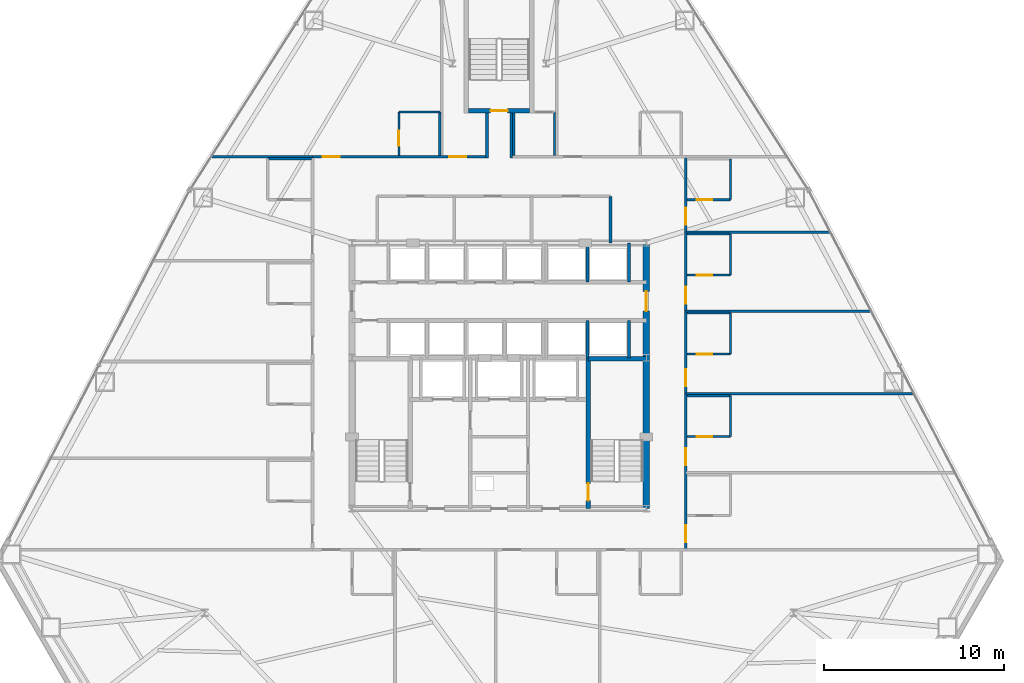
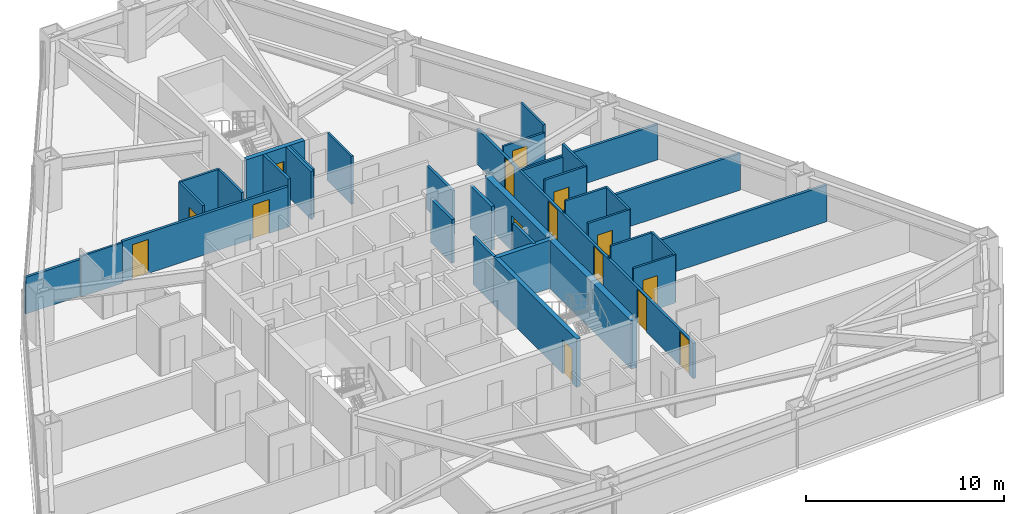
# One storey, part 11 of 13: 34 walls, 15 doors, 15 openings.
"""IFC4 building model written with IfcOpenShell, lengths in metres."""

import ifcopenshell
import ifcopenshell.guid

model = None  # the IFC model being written
_history = None  # IfcOwnerHistory: only IFC2X3 demands one
_inside = {}  # id of a spatial element -> (the spatial element, [elements in it])
_under = {}  # id of a project, library or spatial element -> (it, [spatial elements below it])
_declared = {}  # id of a project -> (the project, [libraries it declares])
_typed = {}  # id of a type object -> (the type object, [elements of that type])
_made_of = {}  # id of a material, layer set ... -> (it, [elements and type objects made of it])


def new_model(schema):
    """Start an empty IFC model of exactly this schema.

    Asked for "IFC4X3", IfcOpenShell would pick the latest addendum, in which some entities
    have other attributes; the version numbers below select the first issue.
    IFC2X3 requires an IfcOwnerHistory on every rooted entity: one is made here for all.
    """
    global model, _history
    if schema == "IFC4X3":
        model = ifcopenshell.file(schema_version=(4, 3, 0, 0))
    else:
        model = ifcopenshell.file(schema=schema)
    _inside.clear()
    _under.clear()
    _declared.clear()
    _typed.clear()
    _made_of.clear()
    _history = None
    if model.schema == "IFC2X3":
        org = make("IfcOrganization", Name="unknown")
        user = make(
            "IfcPersonAndOrganization",
            ThePerson=make("IfcPerson", FamilyName="unknown"),
            TheOrganization=org,
        )
        app = make(
            "IfcApplication",
            ApplicationDeveloper=org,
            Version="unknown",
            ApplicationFullName="unknown",
            ApplicationIdentifier="unknown",
        )
        _history = make(
            "IfcOwnerHistory",
            OwningUser=user,
            OwningApplication=app,
            ChangeAction="ADDED",
            CreationDate=0,
        )
    return model


def make(cls, **values):
    """One entity of the class cls with the attributes given. An attribute that is None is left unset."""
    return model.create_entity(
        cls, **{name: value for name, value in values.items() if value is not None}
    )


def rooted(cls, **values):
    """An entity with a GlobalId (a new one), such as an element, a storey or a relation."""
    return make(cls, GlobalId=ifcopenshell.guid.new(), OwnerHistory=_history, **values)


def si_unit(unit_type, name, prefix=None):
    """IfcSIUnit, for example si_unit("LENGTHUNIT", "METRE", prefix="MILLI")."""
    return make("IfcSIUnit", UnitType=unit_type, Prefix=prefix, Name=name)


def assignment(units):
    """IfcUnitAssignment: the units of a project."""
    return None if units is None else make("IfcUnitAssignment", Units=units)


def point(xyz):
    """IfcCartesianPoint."""
    return None if xyz is None else make("IfcCartesianPoint", Coordinates=xyz)


def direction(xyz):
    """IfcDirection."""
    return None if xyz is None else make("IfcDirection", DirectionRatios=xyz)


def frame(location, z_axis=None, x_axis=None):
    """IfcAxis2Placement3D, a coordinate frame: its origin and axes. An axis left out is left unset."""
    return make(
        "IfcAxis2Placement3D",
        Location=point(location),
        Axis=direction(z_axis),
        RefDirection=direction(x_axis),
    )


def frame_2d(location, x_axis=None):
    """IfcAxis2Placement2D, a coordinate frame in the plane: its origin and x axis."""
    return make(
        "IfcAxis2Placement2D", Location=point(location), RefDirection=direction(x_axis)
    )


def origin():
    """The frame at (0, 0, 0) with its axes left unset."""
    return frame((0.0, 0.0, 0.0))


def place(relative_to, where):
    """IfcLocalPlacement: puts the frame where relative to a parent placement (None: the world)."""
    return make(
        "IfcLocalPlacement", PlacementRelTo=relative_to, RelativePlacement=where
    )


def context(
    kind, dimensions, precision=None, world=None, true_north=None, identifier=None
):
    """IfcGeometricRepresentationContext, for example the 3D "Model" context."""
    return make(
        "IfcGeometricRepresentationContext",
        ContextIdentifier=identifier,
        ContextType=kind,
        CoordinateSpaceDimension=dimensions,
        Precision=precision,
        WorldCoordinateSystem=world,
        TrueNorth=true_north,
    )


def subcontext(parent, identifier, kind, view, scale=None):
    """IfcGeometricRepresentationSubContext, for example "Body" below "Model"."""
    return make(
        "IfcGeometricRepresentationSubContext",
        ContextIdentifier=identifier,
        ContextType=kind,
        ParentContext=parent,
        TargetScale=scale,
        TargetView=view,
    )


def project(units=None, contexts=None):
    """IfcProject with its units and contexts."""
    return rooted(
        "IfcProject",
        Name="project",
        RepresentationContexts=contexts,
        UnitsInContext=assignment(units),
    )


def spatial(cls, under=None, at=None, **own):
    """A site, building, storey or space (cls), placed at a placement, below another one or the project."""
    s = rooted(cls, ObjectPlacement=at, **own)
    if under is not None:
        _under.setdefault(under.id(), (under, []))[1].append(s)
    return s


def profile(cls, at=None, kind="AREA", **sizes):
    """A parametric profile (cls). Its sizes go by their IFC names, for example OverallWidth=200.0."""
    return make(cls, ProfileType=kind, Position=at, **sizes)


def rectangle(**sizes):
    """IfcRectangleProfileDef."""
    return profile("IfcRectangleProfileDef", **sizes)


def extrude(swept, where, along, depth):
    """IfcExtrudedAreaSolid: the profile swept, set in the frame where, extruded along a direction by depth."""
    return make(
        "IfcExtrudedAreaSolid",
        SweptArea=swept,
        Position=where,
        ExtrudedDirection=direction(along),
        Depth=depth,
    )


def shape(context_of_items, identifier, shape_type, items):
    """IfcShapeRepresentation: the items that make up one representation, for example the "Body"."""
    return make(
        "IfcShapeRepresentation",
        ContextOfItems=context_of_items,
        RepresentationIdentifier=identifier,
        RepresentationType=shape_type,
        Items=items,
    )


def material(Name=None, Category=None):
    """IfcMaterial."""
    return make("IfcMaterial", Name=Name, Category=Category)


def layer(
    of_material, thickness, ventilated=None, Name=None, Category=None, Priority=None
):
    """IfcMaterialLayer: one layer of a wall or slab, of a material (None: an air gap)."""
    return make(
        "IfcMaterialLayer",
        Material=of_material,
        LayerThickness=thickness,
        IsVentilated=ventilated,
        Name=Name,
        Category=Category,
        Priority=Priority,
    )


def layer_set(layers, Name=None):
    """IfcMaterialLayerSet."""
    return make("IfcMaterialLayerSet", MaterialLayers=layers, LayerSetName=Name)


def made_of(thing, what):
    """Note that an element or type object is made of a material, layer set ...; save() writes the relation."""
    if what is not None:
        _made_of.setdefault(what.id(), (what, []))[1].append(thing)
    return thing


def type_object(cls, material=None, **own):
    """A type object (cls), such as IfcWallType, which elements share."""
    return made_of(rooted(cls, **own), material)


def element(
    cls,
    number,
    at=None,
    inside=None,
    cuts=None,
    type_object=None,
    material=None,
    context=None,
    identifier="Body",
    shape_type=None,
    held_by="IfcProductDefinitionShape",
    body=None,
    shapes=None,
    **own,
):
    """One element of the class cls, such as IfcWall. Its Tag is "e" and its number.

    at: its placement. inside: the storey or other place that contains it. cuts: it is an
    opening in that element (IfcRelVoidsElement). A single representation is given by context,
    identifier, shape_type and body (its items); several are given by shapes. held_by: the class
    of the entity that holds the representations. save() writes the other relations.
    """
    e = rooted(cls, Tag="e%d" % number, ObjectPlacement=at, **own)
    if body is not None:
        shapes = [shape(context, identifier, shape_type, body)]
    if shapes is not None:
        e.Representation = make(held_by, Representations=shapes)
    if inside is not None:
        _inside.setdefault(inside.id(), (inside, []))[1].append(e)
    if cuts is not None:
        rooted(
            "IfcRelVoidsElement", RelatingBuildingElement=cuts, RelatedOpeningElement=e
        )
    if type_object is not None:
        _typed.setdefault(type_object.id(), (type_object, []))[1].append(e)
    return made_of(e, material)


def fill(opening, filler):
    """IfcRelFillsElement: the door or window that sits in an opening."""
    return rooted(
        "IfcRelFillsElement",
        RelatingOpeningElement=opening,
        RelatedBuildingElement=filler,
    )


def aggregate(whole, parts):
    """IfcRelAggregates: a whole, such as a stair, and the parts it consists of."""
    return rooted("IfcRelAggregates", RelatingObject=whole, RelatedObjects=parts)


def save(model, path):
    """Write the relations noted so far, then the file.

    IfcRelAggregates (storeys below a building ...), IfcRelContainedInSpatialStructure (elements
    in a storey), IfcRelDefinesByType, IfcRelAssociatesMaterial and IfcRelDeclares: one each for
    every whole, place, type object, material and project.
    """
    for whole, parts in _under.values():
        aggregate(whole, parts)
    for where, things in _inside.values():
        rooted(
            "IfcRelContainedInSpatialStructure",
            RelatedElements=things,
            RelatingStructure=where,
        )
    for kind, things in _typed.values():
        rooted("IfcRelDefinesByType", RelatedObjects=things, RelatingType=kind)
    for what, things in _made_of.values():
        rooted("IfcRelAssociatesMaterial", RelatedObjects=things, RelatingMaterial=what)
    for by, libraries in _declared.values():
        rooted("IfcRelDeclares", RelatingContext=by, RelatedDefinitions=libraries)
    model.write(path)


model = new_model("IFC4")

# Units and contexts
model_context = context("Model", 3, precision=1e-05, world=origin(), true_north=direction((0.0, 1.0)))
body_context = subcontext(model_context, "Body", "Model", "MODEL_VIEW")
ifc_project = project(units=[si_unit("LENGTHUNIT", "METRE"), si_unit("AREAUNIT", "SQUARE_METRE"), si_unit("VOLUMEUNIT", "CUBIC_METRE"), si_unit("PLANEANGLEUNIT", "RADIAN"), si_unit("MASSUNIT", "GRAM", prefix="KILO")], contexts=[model_context])

# Site, building, storey
site_placement = place(None, origin())
site = spatial("IfcSite", under=ifc_project, at=site_placement, CompositionType="ELEMENT")
building_placement = place(site_placement, origin())
building = spatial("IfcBuilding", under=site, at=building_placement, Name="Varakhsha Concourse Tower", CompositionType="ELEMENT")
storey_placement = place(building_placement, frame((0.0, 0.0, 89.39990234375)))
storey = spatial("IfcBuildingStorey", under=building, at=storey_placement, Name="L25", CompositionType="ELEMENT", Elevation=89.39990234375)

# Wall, opening, door
ifc_material_1 = material(Name="Concrete fc 65 MPa", Category="concrete")
ifc_layer_1 = layer(ifc_material_1, 0.35009765625, Name="WL-CORE-350")
ifc_layer_set_1 = layer_set([ifc_layer_1], Name="Concrete fc 65 MPa")
wall_type_1 = type_object("IfcWallType", Name="WL-CORE-350", PredefinedType="SHEAR", material=ifc_layer_set_1)
wall_1_placement = place(storey_placement, frame((48.199951171875, 16.39990234375, 0.0), z_axis=(0.0, 0.0, 1.0), x_axis=(0.0, 1.0, 0.0)))
wall_1 = element("IfcWall", 1, at=wall_1_placement, inside=storey, type_object=wall_type_1, Name="L25 Wall CWALL-E-L25", PredefinedType="SHEAR", context=body_context, shape_type="SweptSolid", body=[
    extrude(rectangle(XDim=14.800048828125, YDim=0.35009765625, at=frame_2d((7.39990234375, 0.0))), origin(), (0.0, 0.0, 1.0), 2.97021484375),
])
opening_1_placement = place(wall_1_placement, frame((11.0, 0.0, 0.0)))
opening_1 = element("IfcOpeningElement", 2, at=opening_1_placement, cuts=wall_1, Name="Opening DL-01", PredefinedType="OPENING", context=body_context, shape_type="SweptSolid", body=[
    extrude(rectangle(XDim=1.10009765625, YDim=2.14990234375, at=frame_2d((0.550048828125, 1.074951171875))), frame((0.0, 0.18505859375, 0.0), z_axis=(0.0, -1.0, 0.0), x_axis=(1.0, 0.0, 0.0)), (0.0, 0.0, 1.0), 0.3701171875),
])
ifc_material_2 = material(Name="Anodised Bronze Architectural Aluminium AA 6063-T6", Category="aluminium")
door_type_1 = type_object("IfcDoorType", Name="DR-LOB-1100", OperationType="NOTDEFINED", PredefinedType="DOOR", material=ifc_material_2)
door_1_placement = place(opening_1_placement, origin())
door_1 = element("IfcDoor", 3, at=door_1_placement, inside=storey, type_object=door_type_1, Name="L25 Lift Lobby East Concourse Door", OperationType="SINGLE_SWING_RIGHT", OverallHeight=2.14990234375, OverallWidth=1.10009765625, PredefinedType="DOOR", context=body_context, shape_type="SweptSolid", body=[
    extrude(rectangle(XDim=1.10009765625, YDim=2.14990234375, at=frame_2d((0.550048828125, 1.074951171875))), frame((0.0, 0.02490234375, 0.0), z_axis=(0.0, -1.0, 0.0), x_axis=(1.0, 0.0, 0.0)), (0.0, 0.0, 1.0), 0.050048828125),
])
fill(opening_1, door_1)

# Walls
ifc_material_3 = material(Name="Acoustic Gypsum Board Partition Assembly", Category="gypsum")
ifc_layer_2 = layer(ifc_material_3, 0.1201171875, Name="WL-PART-120")
ifc_layer_set_2 = layer_set([ifc_layer_2], Name="Acoustic Gypsum Board Partition Assembly")
wall_type_2 = type_object("IfcWallType", Name="WL-PART-120", PredefinedType="PARTITIONING", material=ifc_layer_set_2)
wall_2_placement = place(storey_placement, frame((27.110107421875, 35.889892578125, 0.0), z_axis=(0.0, 0.0, 1.0), x_axis=(1.0, 0.0, 0.0)))
element("IfcWall", 4, at=wall_2_placement, inside=storey, type_object=wall_type_2, Name="L25 Wall ENSW-N-L25-H08", PredefinedType="PARTITIONING", context=body_context, shape_type="SweptSolid", body=[
    extrude(rectangle(XDim=2.429931640625, YDim=0.1201171875, at=frame_2d((1.21484375, 0.0))), origin(), (0.0, 0.0, 1.0), 2.503173828125),
])
wall_3_placement = place(storey_placement, frame((52.889892578125, 20.409912109375, 0.0), z_axis=(0.0, 0.0, 1.0), x_axis=(0.0, 1.0, 0.0)))
element("IfcWall", 5, at=wall_3_placement, inside=storey, type_object=wall_type_2, Name="L25 Wall ENSW-E-L25-H10", PredefinedType="PARTITIONING", context=body_context, shape_type="SweptSolid", body=[
    extrude(rectangle(XDim=2.280029296875, YDim=0.1201171875, at=frame_2d((1.14013671875, 0.0))), origin(), (0.0, 0.0, 1.0), 2.97021484375),
])

# Wall, opening, door
wall_4_placement = place(storey_placement, frame((50.4599609375, 20.409912109375, 0.0), z_axis=(0.0, 0.0, 1.0), x_axis=(1.0, 0.0, 0.0)))
wall_4 = element("IfcWall", 6, at=wall_4_placement, inside=storey, type_object=wall_type_2, Name="L25 Wall ENSW-S-L25-H10", PredefinedType="PARTITIONING", context=body_context, shape_type="SweptSolid", body=[
    extrude(rectangle(XDim=2.429931640625, YDim=0.1201171875, at=frame_2d((1.21484375, 0.0))), origin(), (0.0, 0.0, 1.0), 2.97021484375),
])
opening_2_placement = place(wall_4_placement, frame((0.550048828125, 0.0, 0.0)))
opening_2 = element("IfcOpeningElement", 7, at=opening_2_placement, cuts=wall_4, Name="Opening DI-01", PredefinedType="OPENING", context=body_context, shape_type="SweptSolid", body=[
    extrude(rectangle(XDim=0.85009765625, YDim=2.050048828125, at=frame_2d((0.425048828125, 1.02490234375))), frame((0.0, 0.070068359375, 0.0), z_axis=(0.0, -1.0, 0.0), x_axis=(1.0, 0.0, 0.0)), (0.0, 0.0, 1.0), 0.14013671875),
])
ifc_material_4 = material(Name="Architectural Walnut Acoustic Timber Door", Category="wood")
door_type_2 = type_object("IfcDoorType", Name="DR-INT-850", OperationType="NOTDEFINED", PredefinedType="DOOR", material=ifc_material_4)
door_2_placement = place(opening_2_placement, origin())
door_2 = element("IfcDoor", 8, at=door_2_placement, inside=storey, type_object=door_type_2, Name="L25 En-suite Bathroom Door L25-H10", OperationType="SINGLE_SWING_RIGHT", OverallHeight=2.050048828125, OverallWidth=0.85009765625, PredefinedType="DOOR", context=body_context, shape_type="SweptSolid", body=[
    extrude(rectangle(XDim=0.85009765625, YDim=2.050048828125, at=frame_2d((0.425048828125, 1.02490234375))), frame((0.0, 0.02490234375, 0.0), z_axis=(0.0, -1.0, 0.0), x_axis=(1.0, 0.0, 0.0)), (0.0, 0.0, 1.0), 0.050048828125),
])
fill(opening_2, door_2)

# Walls
wall_5_placement = place(storey_placement, frame((50.4599609375, 22.68994140625, 0.0), z_axis=(0.0, 0.0, 1.0), x_axis=(1.0, 0.0, 0.0)))
element("IfcWall", 9, at=wall_5_placement, inside=storey, type_object=wall_type_2, Name="L25 Wall ENSW-N-L25-H10", PredefinedType="PARTITIONING", context=body_context, shape_type="SweptSolid", body=[
    extrude(rectangle(XDim=2.429931640625, YDim=0.1201171875, at=frame_2d((1.21484375, 0.0))), origin(), (0.0, 0.0, 1.0), 2.97021484375),
])
wall_6_placement = place(storey_placement, frame((52.889892578125, 25.010009765625, 0.0), z_axis=(0.0, 0.0, 1.0), x_axis=(0.0, 1.0, 0.0)))
element("IfcWall", 10, at=wall_6_placement, inside=storey, type_object=wall_type_2, Name="L25 Wall ENSW-E-L25-H11", PredefinedType="PARTITIONING", context=body_context, shape_type="SweptSolid", body=[
    extrude(rectangle(XDim=2.280029296875, YDim=0.1201171875, at=frame_2d((1.14013671875, 0.0))), origin(), (0.0, 0.0, 1.0), 2.97021484375),
])

# Wall, opening, door
wall_7_placement = place(storey_placement, frame((50.4599609375, 25.010009765625, 0.0), z_axis=(0.0, 0.0, 1.0), x_axis=(1.0, 0.0, 0.0)))
wall_7 = element("IfcWall", 11, at=wall_7_placement, inside=storey, type_object=wall_type_2, Name="L25 Wall ENSW-S-L25-H11", PredefinedType="PARTITIONING", context=body_context, shape_type="SweptSolid", body=[
    extrude(rectangle(XDim=2.429931640625, YDim=0.1201171875, at=frame_2d((1.21484375, 0.0))), origin(), (0.0, 0.0, 1.0), 2.97021484375),
])
opening_3_placement = place(wall_7_placement, frame((0.550048828125, 0.0, 0.0)))
opening_3 = element("IfcOpeningElement", 12, at=opening_3_placement, cuts=wall_7, Name="Opening DI-01", PredefinedType="OPENING", context=body_context, shape_type="SweptSolid", body=[
    extrude(rectangle(XDim=0.85009765625, YDim=2.050048828125, at=frame_2d((0.425048828125, 1.02490234375))), frame((0.0, 0.070068359375, 0.0), z_axis=(0.0, -1.0, 0.0), x_axis=(1.0, 0.0, 0.0)), (0.0, 0.0, 1.0), 0.14013671875),
])
door_3_placement = place(opening_3_placement, origin())
door_3 = element("IfcDoor", 13, at=door_3_placement, inside=storey, type_object=door_type_2, Name="L25 En-suite Bathroom Door L25-H11", OperationType="SINGLE_SWING_RIGHT", OverallHeight=2.050048828125, OverallWidth=0.85009765625, PredefinedType="DOOR", context=body_context, shape_type="SweptSolid", body=[
    extrude(rectangle(XDim=0.85009765625, YDim=2.050048828125, at=frame_2d((0.425048828125, 1.02490234375))), frame((0.0, 0.02490234375, 0.0), z_axis=(0.0, -1.0, 0.0), x_axis=(1.0, 0.0, 0.0)), (0.0, 0.0, 1.0), 0.050048828125),
])
fill(opening_3, door_3)

# Walls
wall_8_placement = place(storey_placement, frame((50.4599609375, 27.2900390625, 0.0), z_axis=(0.0, 0.0, 1.0), x_axis=(1.0, 0.0, 0.0)))
element("IfcWall", 14, at=wall_8_placement, inside=storey, type_object=wall_type_2, Name="L25 Wall ENSW-N-L25-H11", PredefinedType="PARTITIONING", context=body_context, shape_type="SweptSolid", body=[
    extrude(rectangle(XDim=2.429931640625, YDim=0.1201171875, at=frame_2d((1.21484375, 0.0))), origin(), (0.0, 0.0, 1.0), 2.97021484375),
])
wall_9_placement = place(storey_placement, frame((52.889892578125, 29.409912109375, 0.0), z_axis=(0.0, 0.0, 1.0), x_axis=(0.0, 1.0, 0.0)))
element("IfcWall", 15, at=wall_9_placement, inside=storey, type_object=wall_type_2, Name="L25 Wall ENSW-E-L25-H12", PredefinedType="PARTITIONING", context=body_context, shape_type="SweptSolid", body=[
    extrude(rectangle(XDim=2.280029296875, YDim=0.1201171875, at=frame_2d((1.14013671875, 0.0))), origin(), (0.0, 0.0, 1.0), 2.97021484375),
])

# Wall, opening, door
wall_10_placement = place(storey_placement, frame((50.4599609375, 29.409912109375, 0.0), z_axis=(0.0, 0.0, 1.0), x_axis=(1.0, 0.0, 0.0)))
wall_10 = element("IfcWall", 16, at=wall_10_placement, inside=storey, type_object=wall_type_2, Name="L25 Wall ENSW-S-L25-H12", PredefinedType="PARTITIONING", context=body_context, shape_type="SweptSolid", body=[
    extrude(rectangle(XDim=2.429931640625, YDim=0.1201171875, at=frame_2d((1.21484375, 0.0))), origin(), (0.0, 0.0, 1.0), 2.97021484375),
])
opening_4_placement = place(wall_10_placement, frame((0.550048828125, 0.0, 0.0)))
opening_4 = element("IfcOpeningElement", 17, at=opening_4_placement, cuts=wall_10, Name="Opening DI-01", PredefinedType="OPENING", context=body_context, shape_type="SweptSolid", body=[
    extrude(rectangle(XDim=0.85009765625, YDim=2.050048828125, at=frame_2d((0.425048828125, 1.02490234375))), frame((0.0, 0.070068359375, 0.0), z_axis=(0.0, -1.0, 0.0), x_axis=(1.0, 0.0, 0.0)), (0.0, 0.0, 1.0), 0.14013671875),
])
door_4_placement = place(opening_4_placement, origin())
door_4 = element("IfcDoor", 18, at=door_4_placement, inside=storey, type_object=door_type_2, Name="L25 En-suite Bathroom Door L25-H12", OperationType="SINGLE_SWING_RIGHT", OverallHeight=2.050048828125, OverallWidth=0.85009765625, PredefinedType="DOOR", context=body_context, shape_type="SweptSolid", body=[
    extrude(rectangle(XDim=0.85009765625, YDim=2.050048828125, at=frame_2d((0.425048828125, 1.02490234375))), frame((0.0, 0.02490234375, 0.0), z_axis=(0.0, -1.0, 0.0), x_axis=(1.0, 0.0, 0.0)), (0.0, 0.0, 1.0), 0.050048828125),
])
fill(opening_4, door_4)

# Walls
wall_11_placement = place(storey_placement, frame((50.4599609375, 31.68994140625, 0.0), z_axis=(0.0, 0.0, 1.0), x_axis=(1.0, 0.0, 0.0)))
element("IfcWall", 19, at=wall_11_placement, inside=storey, type_object=wall_type_2, Name="L25 Wall ENSW-N-L25-H12", PredefinedType="PARTITIONING", context=body_context, shape_type="SweptSolid", body=[
    extrude(rectangle(XDim=2.429931640625, YDim=0.1201171875, at=frame_2d((1.21484375, 0.0))), origin(), (0.0, 0.0, 1.0), 2.18115234375),
])
wall_12_placement = place(storey_placement, frame((52.889892578125, 33.610107421875, 0.0), z_axis=(0.0, 0.0, 1.0), x_axis=(0.0, 1.0, 0.0)))
element("IfcWall", 20, at=wall_12_placement, inside=storey, type_object=wall_type_2, Name="L25 Wall ENSW-E-L25-H13", PredefinedType="PARTITIONING", context=body_context, shape_type="SweptSolid", body=[
    extrude(rectangle(XDim=2.27978515625, YDim=0.1201171875, at=frame_2d((1.139892578125, 0.0))), origin(), (0.0, 0.0, 1.0), 2.97021484375),
])

# Wall, opening, door
wall_13_placement = place(storey_placement, frame((50.4599609375, 33.610107421875, 0.0), z_axis=(0.0, 0.0, 1.0), x_axis=(1.0, 0.0, 0.0)))
wall_13 = element("IfcWall", 21, at=wall_13_placement, inside=storey, type_object=wall_type_2, Name="L25 Wall ENSW-S-L25-H13", PredefinedType="PARTITIONING", context=body_context, shape_type="SweptSolid", body=[
    extrude(rectangle(XDim=2.429931640625, YDim=0.1201171875, at=frame_2d((1.21484375, 0.0))), origin(), (0.0, 0.0, 1.0), 2.503173828125),
])
opening_5_placement = place(wall_13_placement, frame((0.550048828125, 0.0, 0.0)))
opening_5 = element("IfcOpeningElement", 22, at=opening_5_placement, cuts=wall_13, Name="Opening DI-01", PredefinedType="OPENING", context=body_context, shape_type="SweptSolid", body=[
    extrude(rectangle(XDim=0.85009765625, YDim=2.050048828125, at=frame_2d((0.425048828125, 1.02490234375))), frame((0.0, 0.070068359375, 0.0), z_axis=(0.0, -1.0, 0.0), x_axis=(1.0, 0.0, 0.0)), (0.0, 0.0, 1.0), 0.14013671875),
])
door_5_placement = place(opening_5_placement, origin())
door_5 = element("IfcDoor", 23, at=door_5_placement, inside=storey, type_object=door_type_2, Name="L25 En-suite Bathroom Door L25-H13", OperationType="SINGLE_SWING_RIGHT", OverallHeight=2.050048828125, OverallWidth=0.85009765625, PredefinedType="DOOR", context=body_context, shape_type="SweptSolid", body=[
    extrude(rectangle(XDim=0.85009765625, YDim=2.050048828125, at=frame_2d((0.425048828125, 1.02490234375))), frame((0.0, 0.02490234375, 0.0), z_axis=(0.0, -1.0, 0.0), x_axis=(1.0, 0.0, 0.0)), (0.0, 0.0, 1.0), 0.050048828125),
])
fill(opening_5, door_5)

wall_14_placement = place(storey_placement, frame((34.409912109375, 36.06005859375, 0.0), z_axis=(0.0, 0.0, 1.0), x_axis=(0.0, 1.0, 0.0)))
wall_14 = element("IfcWall", 24, at=wall_14_placement, inside=storey, type_object=wall_type_2, Name="L25 Wall ENSW-W-L25-H14", PredefinedType="PARTITIONING", context=body_context, shape_type="SweptSolid", body=[
    extrude(rectangle(XDim=2.429931640625, YDim=0.1201171875, at=frame_2d((1.21484375, 0.0))), origin(), (0.0, 0.0, 1.0), 2.97021484375),
])
opening_6_placement = place(wall_14_placement, frame((0.550048828125, 0.0, 0.0)))
opening_6 = element("IfcOpeningElement", 25, at=opening_6_placement, cuts=wall_14, Name="Opening DI-01", PredefinedType="OPENING", context=body_context, shape_type="SweptSolid", body=[
    extrude(rectangle(XDim=0.85009765625, YDim=2.050048828125, at=frame_2d((0.425048828125, 1.02490234375))), frame((0.0, 0.070068359375, 0.0), z_axis=(0.0, -1.0, 0.0), x_axis=(1.0, 0.0, 0.0)), (0.0, 0.0, 1.0), 0.14013671875),
])
door_6_placement = place(opening_6_placement, origin())
door_6 = element("IfcDoor", 26, at=door_6_placement, inside=storey, type_object=door_type_2, Name="L25 En-suite Bathroom Door L25-H14", OperationType="SINGLE_SWING_RIGHT", OverallHeight=2.050048828125, OverallWidth=0.85009765625, PredefinedType="DOOR", context=body_context, shape_type="SweptSolid", body=[
    extrude(rectangle(XDim=0.85009765625, YDim=2.050048828125, at=frame_2d((0.425048828125, 1.02490234375))), frame((0.0, 0.02490234375, 0.0), z_axis=(0.0, -1.0, 0.0), x_axis=(1.0, 0.0, 0.0)), (0.0, 0.0, 1.0), 0.050048828125),
])
fill(opening_6, door_6)

# Walls
wall_15_placement = place(storey_placement, frame((36.68994140625, 36.06005859375, 0.0), z_axis=(0.0, 0.0, 1.0), x_axis=(0.0, 1.0, 0.0)))
element("IfcWall", 27, at=wall_15_placement, inside=storey, type_object=wall_type_2, Name="L25 Wall ENSW-E-L25-H14", PredefinedType="PARTITIONING", context=body_context, shape_type="SweptSolid", body=[
    extrude(rectangle(XDim=2.429931640625, YDim=0.1201171875, at=frame_2d((1.21484375, 0.0))), origin(), (0.0, 0.0, 1.0), 2.97021484375),
])
wall_16_placement = place(storey_placement, frame((34.409912109375, 38.489990234375, 0.0), z_axis=(0.0, 0.0, 1.0), x_axis=(1.0, 0.0, 0.0)))
element("IfcWall", 28, at=wall_16_placement, inside=storey, type_object=wall_type_2, Name="L25 Wall ENSW-N-L25-H14", PredefinedType="PARTITIONING", context=body_context, shape_type="SweptSolid", body=[
    extrude(rectangle(XDim=2.280029296875, YDim=0.1201171875, at=frame_2d((1.14013671875, 0.0))), origin(), (0.0, 0.0, 1.0), 2.97021484375),
])
wall_17_placement = place(storey_placement, frame((40.81005859375, 36.06005859375, 0.0), z_axis=(0.0, 0.0, 1.0), x_axis=(0.0, 1.0, 0.0)))
element("IfcWall", 29, at=wall_17_placement, inside=storey, type_object=wall_type_2, Name="L25 Wall ENSW-W-L25-H15", PredefinedType="PARTITIONING", context=body_context, shape_type="SweptSolid", body=[
    extrude(rectangle(XDim=2.389892578125, YDim=0.1201171875, at=frame_2d((1.19482421875, 0.0))), origin(), (0.0, 0.0, 1.0), 2.97021484375),
])
wall_18_placement = place(storey_placement, frame((43.090087890625, 36.06005859375, 0.0), z_axis=(0.0, 0.0, 1.0), x_axis=(0.0, 1.0, 0.0)))
element("IfcWall", 30, at=wall_18_placement, inside=storey, type_object=wall_type_2, Name="L25 Wall ENSW-E-L25-H15", PredefinedType="PARTITIONING", context=body_context, shape_type="SweptSolid", body=[
    extrude(rectangle(XDim=2.429931640625, YDim=0.1201171875, at=frame_2d((1.21484375, 0.0))), origin(), (0.0, 0.0, 1.0), 2.97021484375),
])
ifc_material_5 = material(Name="Fire-Rated Type X Gypsum Partition Assembly", Category="gypsum")
ifc_layer_3 = layer(ifc_material_5, 0.14990234375, Name="WL-PART-150")
ifc_layer_set_3 = layer_set([ifc_layer_3], Name="Fire-Rated Type X Gypsum Partition Assembly")
wall_type_3 = type_object("IfcWallType", Name="WL-PART-150", PredefinedType="PARTITIONING", material=ifc_layer_set_3)
wall_19_placement = place(storey_placement, frame((46.199951171875, 31.199951171875, 0.0), z_axis=(0.0, 0.0, 1.0), x_axis=(0.0, 1.0, 0.0)))
element("IfcWall", 31, at=wall_19_placement, inside=storey, type_object=wall_type_3, Name="L25 Wall NBOH-E-L25", PredefinedType="PARTITIONING", context=body_context, shape_type="SweptSolid", body=[
    extrude(rectangle(XDim=2.60009765625, YDim=0.14990234375, at=frame_2d((1.300048828125, 0.0))), origin(), (0.0, 0.0, 1.0), 2.697998046875),
])

# Wall, openings, doors
wall_20_placement = place(storey_placement, frame((29.60009765625, 36.0, 0.0), z_axis=(0.0, 0.0, 1.0), x_axis=(1.0, 0.0, 0.0)))
wall_20 = element("IfcWall", 32, at=wall_20_placement, inside=storey, type_object=wall_type_3, Name="L25 Wall CRW-N-L25", PredefinedType="PARTITIONING", context=body_context, shape_type="SweptSolid", body=[
    extrude(rectangle(XDim=9.64990234375, YDim=0.14990234375, at=frame_2d((4.824951171875, 0.0))), origin(), (0.0, 0.0, 1.0), 2.503173828125),
])
opening_7_placement = place(wall_20_placement, frame((0.570068359375, 0.0, 0.0)))
opening_7 = element("IfcOpeningElement", 33, at=opening_7_placement, cuts=wall_20, Name="Opening DF-05", PredefinedType="OPENING", context=body_context, shape_type="SweptSolid", body=[
    extrude(rectangle(XDim=0.949951171875, YDim=2.10009765625, at=frame_2d((0.47509765625, 1.050048828125))), frame((0.0, 0.0849609375, 0.0), z_axis=(0.0, -1.0, 0.0), x_axis=(1.0, 0.0, 0.0)), (0.0, 0.0, 1.0), 0.169921875),
])
opening_8_placement = place(wall_20_placement, frame((7.6201171875, 0.0, 0.0)))
opening_8 = element("IfcOpeningElement", 34, at=opening_8_placement, cuts=wall_20, Name="Opening DF-05", PredefinedType="OPENING", context=body_context, shape_type="SweptSolid", body=[
    extrude(rectangle(XDim=0.949951171875, YDim=2.10009765625, at=frame_2d((0.47509765625, 1.050048828125))), frame((0.0, 0.0849609375, 0.0), z_axis=(0.0, -1.0, 0.0), x_axis=(1.0, 0.0, 0.0)), (0.0, 0.0, 1.0), 0.169921875),
])
ifc_material_6 = material(Name="Hollow Galvanised Steel Fire Door Assembly", Category="steel")
door_type_3 = type_object("IfcDoorType", Name="DR-FD60-950", OperationType="NOTDEFINED", PredefinedType="DOOR", material=ifc_material_6)
door_7_placement = place(opening_7_placement, origin())
door_7 = element("IfcDoor", 35, at=door_7_placement, inside=storey, type_object=door_type_3, Name="L25 Hotel Corner Suite L25-H14 Entry Door", OperationType="SINGLE_SWING_RIGHT", OverallHeight=2.10009765625, OverallWidth=0.949951171875, PredefinedType="DOOR", context=body_context, shape_type="SweptSolid", body=[
    extrude(rectangle(XDim=0.949951171875, YDim=2.10009765625, at=frame_2d((0.47509765625, 1.050048828125))), frame((0.0, 0.02490234375, 0.0), z_axis=(0.0, -1.0, 0.0), x_axis=(1.0, 0.0, 0.0)), (0.0, 0.0, 1.0), 0.050048828125),
])
fill(opening_7, door_7)
door_8_placement = place(opening_8_placement, origin())
door_8 = element("IfcDoor", 36, at=door_8_placement, inside=storey, type_object=door_type_3, Name="L25 Hotel Corner Suite L25-H15 Entry Door", OperationType="SINGLE_SWING_LEFT", OverallHeight=2.10009765625, OverallWidth=0.949951171875, PredefinedType="DOOR", context=body_context, shape_type="SweptSolid", body=[
    extrude(rectangle(XDim=0.949951171875, YDim=2.10009765625, at=frame_2d((0.47509765625, 1.050048828125))), frame((0.0, 0.02490234375, 0.0), z_axis=(0.0, -1.0, 0.0), x_axis=(1.0, 0.0, 0.0)), (0.0, 0.0, 1.0), 0.050048828125),
])
fill(opening_8, door_8)

wall_21_placement = place(storey_placement, frame((50.39990234375, 14.10009765625, 0.0), z_axis=(0.0, 0.0, 1.0), x_axis=(0.0, 1.0, 0.0)))
wall_21 = element("IfcWall", 37, at=wall_21_placement, inside=storey, type_object=wall_type_3, Name="L25 Wall CRW-E-L25", PredefinedType="PARTITIONING", context=body_context, shape_type="SweptSolid", body=[
    extrude(rectangle(XDim=21.89990234375, YDim=0.14990234375, at=frame_2d((10.949951171875, 0.0))), origin(), (0.0, 0.0, 1.0), 2.18115234375),
])
opening_9_placement = place(wall_21_placement, frame((0.419921875, 0.0, 0.0)))
opening_9 = element("IfcOpeningElement", 38, at=opening_9_placement, cuts=wall_21, Name="Opening DF-05", PredefinedType="OPENING", context=body_context, shape_type="SweptSolid", body=[
    extrude(rectangle(XDim=0.949951171875, YDim=2.10009765625, at=frame_2d((0.47509765625, 1.050048828125))), frame((0.0, 0.0849609375, 0.0), z_axis=(0.0, -1.0, 0.0), x_axis=(1.0, 0.0, 0.0)), (0.0, 0.0, 1.0), 0.169921875),
])
opening_10_placement = place(wall_21_placement, frame((4.719970703125, 0.0, 0.0)))
opening_10 = element("IfcOpeningElement", 39, at=opening_10_placement, cuts=wall_21, Name="Opening DF-05", PredefinedType="OPENING", context=body_context, shape_type="SweptSolid", body=[
    extrude(rectangle(XDim=0.949951171875, YDim=2.10009765625, at=frame_2d((0.47509765625, 1.050048828125))), frame((0.0, 0.0849609375, 0.0), z_axis=(0.0, -1.0, 0.0), x_axis=(1.0, 0.0, 0.0)), (0.0, 0.0, 1.0), 0.169921875),
])
opening_11_placement = place(wall_21_placement, frame((9.1201171875, 0.0, 0.0)))
opening_11 = element("IfcOpeningElement", 40, at=opening_11_placement, cuts=wall_21, Name="Opening DF-05", PredefinedType="OPENING", context=body_context, shape_type="SweptSolid", body=[
    extrude(rectangle(XDim=0.949951171875, YDim=2.10009765625, at=frame_2d((0.47509765625, 1.050048828125))), frame((0.0, 0.0849609375, 0.0), z_axis=(0.0, -1.0, 0.0), x_axis=(1.0, 0.0, 0.0)), (0.0, 0.0, 1.0), 0.169921875),
])
opening_12_placement = place(wall_21_placement, frame((13.719970703125, 0.0, 0.0)))
opening_12 = element("IfcOpeningElement", 41, at=opening_12_placement, cuts=wall_21, Name="Opening DF-05", PredefinedType="OPENING", context=body_context, shape_type="SweptSolid", body=[
    extrude(rectangle(XDim=0.949951171875, YDim=2.10009765625, at=frame_2d((0.47509765625, 1.050048828125))), frame((0.0, 0.0849609375, 0.0), z_axis=(0.0, -1.0, 0.0), x_axis=(1.0, 0.0, 0.0)), (0.0, 0.0, 1.0), 0.169921875),
])
opening_13_placement = place(wall_21_placement, frame((18.1201171875, 0.0, 0.0)))
opening_13 = element("IfcOpeningElement", 42, at=opening_13_placement, cuts=wall_21, Name="Opening DF-05", PredefinedType="OPENING", context=body_context, shape_type="SweptSolid", body=[
    extrude(rectangle(XDim=0.949951171875, YDim=2.10009765625, at=frame_2d((0.47509765625, 1.050048828125))), frame((0.0, 0.0849609375, 0.0), z_axis=(0.0, -1.0, 0.0), x_axis=(1.0, 0.0, 0.0)), (0.0, 0.0, 1.0), 0.169921875),
])
door_9_placement = place(opening_9_placement, origin())
door_9 = element("IfcDoor", 43, at=door_9_placement, inside=storey, type_object=door_type_3, Name="L25 Hotel Corner Suite L25-H09 Entry Door", OperationType="SINGLE_SWING_LEFT", OverallHeight=2.10009765625, OverallWidth=0.949951171875, PredefinedType="DOOR", context=body_context, shape_type="SweptSolid", body=[
    extrude(rectangle(XDim=0.949951171875, YDim=2.10009765625, at=frame_2d((0.47509765625, 1.050048828125))), frame((0.0, 0.02490234375, 0.0), z_axis=(0.0, -1.0, 0.0), x_axis=(1.0, 0.0, 0.0)), (0.0, 0.0, 1.0), 0.050048828125),
])
fill(opening_9, door_9)
door_10_placement = place(opening_10_placement, origin())
door_10 = element("IfcDoor", 44, at=door_10_placement, inside=storey, type_object=door_type_3, Name="L25 Hotel Corner Suite L25-H10 Entry Door", OperationType="SINGLE_SWING_RIGHT", OverallHeight=2.10009765625, OverallWidth=0.949951171875, PredefinedType="DOOR", context=body_context, shape_type="SweptSolid", body=[
    extrude(rectangle(XDim=0.949951171875, YDim=2.10009765625, at=frame_2d((0.47509765625, 1.050048828125))), frame((0.0, 0.02490234375, 0.0), z_axis=(0.0, -1.0, 0.0), x_axis=(1.0, 0.0, 0.0)), (0.0, 0.0, 1.0), 0.050048828125),
])
fill(opening_10, door_10)
door_11_placement = place(opening_11_placement, origin())
door_11 = element("IfcDoor", 45, at=door_11_placement, inside=storey, type_object=door_type_3, Name="L25 Hotel Corner Suite L25-H11 Entry Door", OperationType="SINGLE_SWING_LEFT", OverallHeight=2.10009765625, OverallWidth=0.949951171875, PredefinedType="DOOR", context=body_context, shape_type="SweptSolid", body=[
    extrude(rectangle(XDim=0.949951171875, YDim=2.10009765625, at=frame_2d((0.47509765625, 1.050048828125))), frame((0.0, 0.02490234375, 0.0), z_axis=(0.0, -1.0, 0.0), x_axis=(1.0, 0.0, 0.0)), (0.0, 0.0, 1.0), 0.050048828125),
])
fill(opening_11, door_11)
door_12_placement = place(opening_12_placement, origin())
door_12 = element("IfcDoor", 46, at=door_12_placement, inside=storey, type_object=door_type_3, Name="L25 Hotel Guest Room L25-H12 Entry Door", OperationType="SINGLE_SWING_RIGHT", OverallHeight=2.10009765625, OverallWidth=0.949951171875, PredefinedType="DOOR", context=body_context, shape_type="SweptSolid", body=[
    extrude(rectangle(XDim=0.949951171875, YDim=2.10009765625, at=frame_2d((0.47509765625, 1.050048828125))), frame((0.0, 0.02490234375, 0.0), z_axis=(0.0, -1.0, 0.0), x_axis=(1.0, 0.0, 0.0)), (0.0, 0.0, 1.0), 0.050048828125),
])
fill(opening_12, door_12)
door_13_placement = place(opening_13_placement, origin())
door_13 = element("IfcDoor", 47, at=door_13_placement, inside=storey, type_object=door_type_3, Name="L25 Hotel Guest Room L25-H13 Entry Door", OperationType="SINGLE_SWING_LEFT", OverallHeight=2.10009765625, OverallWidth=0.949951171875, PredefinedType="DOOR", context=body_context, shape_type="SweptSolid", body=[
    extrude(rectangle(XDim=0.949951171875, YDim=2.10009765625, at=frame_2d((0.47509765625, 1.050048828125))), frame((0.0, 0.02490234375, 0.0), z_axis=(0.0, -1.0, 0.0), x_axis=(1.0, 0.0, 0.0)), (0.0, 0.0, 1.0), 0.050048828125),
])
fill(opening_13, door_13)

# Walls
wall_22_placement = place(storey_placement, frame((23.955078125, 36.0, 0.0), z_axis=(0.0, 0.0, 1.0), x_axis=(1.0, 0.0, 0.0)))
element("IfcWall", 48, at=wall_22_placement, inside=storey, type_object=wall_type_3, Name="L25 Wall HDIV-WBN-L25", PredefinedType="PARTITIONING", context=body_context, shape_type="SweptSolid", body=[
    extrude(rectangle(XDim=5.64501953125, YDim=0.14990234375, at=frame_2d((2.822509765625, 0.0))), origin(), (0.0, 0.0, 1.0), 2.258056640625),
])
wall_23_placement = place(storey_placement, frame((50.39990234375, 22.800048828125, 0.0), z_axis=(0.0, 0.0, 1.0), x_axis=(1.0, 0.0, 0.0)))
element("IfcWall", 49, at=wall_23_placement, inside=storey, type_object=wall_type_3, Name="L25 Wall HDIV-E2-L25", PredefinedType="PARTITIONING", context=body_context, shape_type="SweptSolid", body=[
    extrude(rectangle(XDim=12.71142578125, YDim=0.14990234375, at=frame_2d((6.355712890625, 0.0))), origin(), (0.0, 0.0, 1.0), 2.258056640625),
])
wall_24_placement = place(storey_placement, frame((50.39990234375, 27.39990234375, 0.0), z_axis=(0.0, 0.0, 1.0), x_axis=(1.0, 0.0, 0.0)))
element("IfcWall", 50, at=wall_24_placement, inside=storey, type_object=wall_type_3, Name="L25 Wall HDIV-E3-L25", PredefinedType="PARTITIONING", context=body_context, shape_type="SweptSolid", body=[
    extrude(rectangle(XDim=10.3271484375, YDim=0.14990234375, at=frame_2d((5.16357421875, 0.0))), origin(), (0.0, 0.0, 1.0), 2.258056640625),
])
wall_25_placement = place(storey_placement, frame((50.39990234375, 31.800048828125, 0.0), z_axis=(0.0, 0.0, 1.0), x_axis=(1.0, 0.0, 0.0)))
element("IfcWall", 51, at=wall_25_placement, inside=storey, type_object=wall_type_3, Name="L25 Wall HDIV-E4-L25", PredefinedType="PARTITIONING", context=body_context, shape_type="SweptSolid", body=[
    extrude(rectangle(XDim=8.04638671875, YDim=0.14990234375, at=frame_2d((4.023193359375, 0.0))), origin(), (0.0, 0.0, 1.0), 2.18115234375),
])
for number, where, z_axis, x_axis, name in (
    (52, (39.324951171875, 35.925048828125, 0.0), (0.0, 0.0, 1.0), (0.0, 1.0, 0.0), "L25 Wall STUB-W-L25"),
    (53, (40.675048828125, 35.925048828125, 0.0), (0.0, 0.0, 1.0), (0.0, 1.0, 0.0), "L25 Wall STUB-E-L25"),
):
    element("IfcWall", number, at=place(storey_placement, frame(where, z_axis=z_axis, x_axis=x_axis)), inside=storey, type_object=wall_type_3, Name=name, PredefinedType="PARTITIONING", context=body_context, shape_type="SweptSolid", body=[
        extrude(rectangle(XDim=2.52490234375, YDim=0.14990234375, at=frame_2d((1.262451171875, 0.0))), origin(), (0.0, 0.0, 1.0), 2.97021484375),
    ])
ifc_layer_4 = layer(ifc_material_5, 0.199951171875, Name="WL-SHAFT-220")
ifc_layer_set_4 = layer_set([ifc_layer_4], Name="Fire-Rated Type X Gypsum Partition Assembly")
wall_type_4 = type_object("IfcWallType", Name="WL-SHAFT-220", PredefinedType="SOLIDWALL", material=ifc_layer_set_4)
for number, where, z_axis, x_axis, name in (
    (54, (44.919921875, 29.02001953125, 0.0), (0.0, 0.0, 1.0), (0.0, 1.0, 0.0), "L25 Wall SHW-LF-P09-E-L25"),
    (55, (47.239990234375, 29.02001953125, 0.0), (0.0, 0.0, 1.0), (0.0, 1.0, 0.0), "L25 Wall SHW-LF-P10-E-L25"),
):
    element("IfcWall", number, at=place(storey_placement, frame(where, z_axis=z_axis, x_axis=x_axis)), inside=storey, type_object=wall_type_4, Name=name, PredefinedType="SOLIDWALL", context=body_context, shape_type="SweptSolid", body=[
        extrude(rectangle(XDim=2.179931640625, YDim=0.159912109375, at=frame_2d((1.08984375, 0.0))), origin(), (0.0, 0.0, 1.0), 2.697998046875),
    ])
for number, where, z_axis, x_axis, name in (
    (56, (44.919921875, 24.800048828125, 0.0), (0.0, 0.0, 1.0), (0.0, 1.0, 0.0), "L25 Wall SHW-LF-P11-E-L25"),
    (57, (47.239990234375, 24.800048828125, 0.0), (0.0, 0.0, 1.0), (0.0, 1.0, 0.0), "L25 Wall SHW-LF-P12-E-L25"),
):
    element("IfcWall", number, at=place(storey_placement, frame(where, z_axis=z_axis, x_axis=x_axis)), inside=storey, type_object=wall_type_4, Name=name, PredefinedType="SOLIDWALL", context=body_context, shape_type="SweptSolid", body=[
        extrude(rectangle(XDim=2.079833984375, YDim=0.159912109375, at=frame_2d((1.0400390625, 0.0))), origin(), (0.0, 0.0, 1.0), 2.97021484375),
    ])

# Wall, opening, door
ifc_material_7 = material(Name="Concrete fc 45 MPa", Category="concrete")
ifc_layer_5 = layer(ifc_material_7, 0.25, Name="WL-STAIR-250")
ifc_layer_set_5 = layer_set([ifc_layer_5], Name="Concrete fc 45 MPa")
wall_type_5 = type_object("IfcWallType", Name="WL-STAIR-250", PredefinedType="SHEAR", material=ifc_layer_set_5)
wall_26_placement = place(storey_placement, frame((44.955078125, 16.39990234375, 0.0), z_axis=(0.0, 0.0, 1.0), x_axis=(0.0, 1.0, 0.0)))
wall_26 = element("IfcWall", 58, at=wall_26_placement, inside=storey, type_object=wall_type_5, Name="L25 Wall SWALL-ST2-W-L25", PredefinedType="SHEAR", context=body_context, shape_type="SweptSolid", body=[
    extrude(rectangle(XDim=8.400146484375, YDim=0.25, at=frame_2d((4.2001953125, 0.0))), origin(), (0.0, 0.0, 1.0), 2.97021484375),
])
opening_14_placement = place(wall_26_placement, frame((0.449951171875, 0.0, 0.0)))
opening_14 = element("IfcOpeningElement", 59, at=opening_14_placement, cuts=wall_26, Name="Opening DF-03", PredefinedType="OPENING", context=body_context, shape_type="SweptSolid", body=[
    extrude(rectangle(XDim=0.949951171875, YDim=2.10009765625, at=frame_2d((0.47509765625, 1.050048828125))), frame((0.0, 0.135009765625, 0.0), z_axis=(0.0, -1.0, 0.0), x_axis=(1.0, 0.0, 0.0)), (0.0, 0.0, 1.0), 0.27001953125),
])
door_type_4 = type_object("IfcDoorType", Name="DR-FD90-950", OperationType="NOTDEFINED", PredefinedType="DOOR", material=ifc_material_6)
door_14_placement = place(opening_14_placement, origin())
door_14 = element("IfcDoor", 60, at=door_14_placement, inside=storey, type_object=door_type_4, Name="L25 Stair ST2 Fire Door", OperationType="SINGLE_SWING_RIGHT", OverallHeight=2.10009765625, OverallWidth=0.949951171875, PredefinedType="DOOR", context=body_context, shape_type="SweptSolid", body=[
    extrude(rectangle(XDim=0.949951171875, YDim=2.10009765625, at=frame_2d((0.47509765625, 1.050048828125))), frame((0.0, 0.02490234375, 0.0), z_axis=(0.0, -1.0, 0.0), x_axis=(1.0, 0.0, 0.0)), (0.0, 0.0, 1.0), 0.050048828125),
])
fill(opening_14, door_14)

# Wall
wall_27_placement = place(storey_placement, frame((44.955078125, 24.7548828125, 0.0), z_axis=(0.0, 0.0, 1.0), x_axis=(1.0, 0.0, 0.0)))
element("IfcWall", 61, at=wall_27_placement, inside=storey, type_object=wall_type_5, Name="L25 Wall SWALL-ST2-N-L25", PredefinedType="SHEAR", context=body_context, shape_type="SweptSolid", body=[
    extrude(rectangle(XDim=3.244873046875, YDim=0.25, at=frame_2d((1.62255859375, 0.0))), origin(), (0.0, 0.0, 1.0), 2.97021484375),
])

# Wall, opening, door
wall_28_placement = place(storey_placement, frame((38.300048828125, 38.574951171875, 0.0), z_axis=(0.0, 0.0, 1.0), x_axis=(1.0, 0.0, 0.0)))
wall_28 = element("IfcWall", 62, at=wall_28_placement, inside=storey, type_object=wall_type_5, Name="L25 Wall SWALL-ST5-S-L25", PredefinedType="SHEAR", context=body_context, shape_type="SweptSolid", body=[
    extrude(rectangle(XDim=3.39990234375, YDim=0.25, at=frame_2d((1.699951171875, 0.0))), origin(), (0.0, 0.0, 1.0), 2.97021484375),
])
opening_15_placement = place(wall_28_placement, frame((1.22509765625, 0.0, 0.0)))
opening_15 = element("IfcOpeningElement", 63, at=opening_15_placement, cuts=wall_28, Name="Opening DF-03", PredefinedType="OPENING", context=body_context, shape_type="SweptSolid", body=[
    extrude(rectangle(XDim=0.949951171875, YDim=2.10009765625, at=frame_2d((0.47509765625, 1.050048828125))), frame((0.0, 0.135009765625, 0.0), z_axis=(0.0, -1.0, 0.0), x_axis=(1.0, 0.0, 0.0)), (0.0, 0.0, 1.0), 0.27001953125),
])
door_15_placement = place(opening_15_placement, origin())
door_15 = element("IfcDoor", 64, at=door_15_placement, inside=storey, type_object=door_type_4, Name="L25 Stair ST5 Fire Door", OperationType="SINGLE_SWING_RIGHT", OverallHeight=2.10009765625, OverallWidth=0.949951171875, PredefinedType="DOOR", context=body_context, shape_type="SweptSolid", body=[
    extrude(rectangle(XDim=0.949951171875, YDim=2.10009765625, at=frame_2d((0.47509765625, 1.050048828125))), frame((0.0, 0.02490234375, 0.0), z_axis=(0.0, -1.0, 0.0), x_axis=(1.0, 0.0, 0.0)), (0.0, 0.0, 1.0), 0.050048828125),
])
fill(opening_15, door_15)

save(model, "model.ifc")
